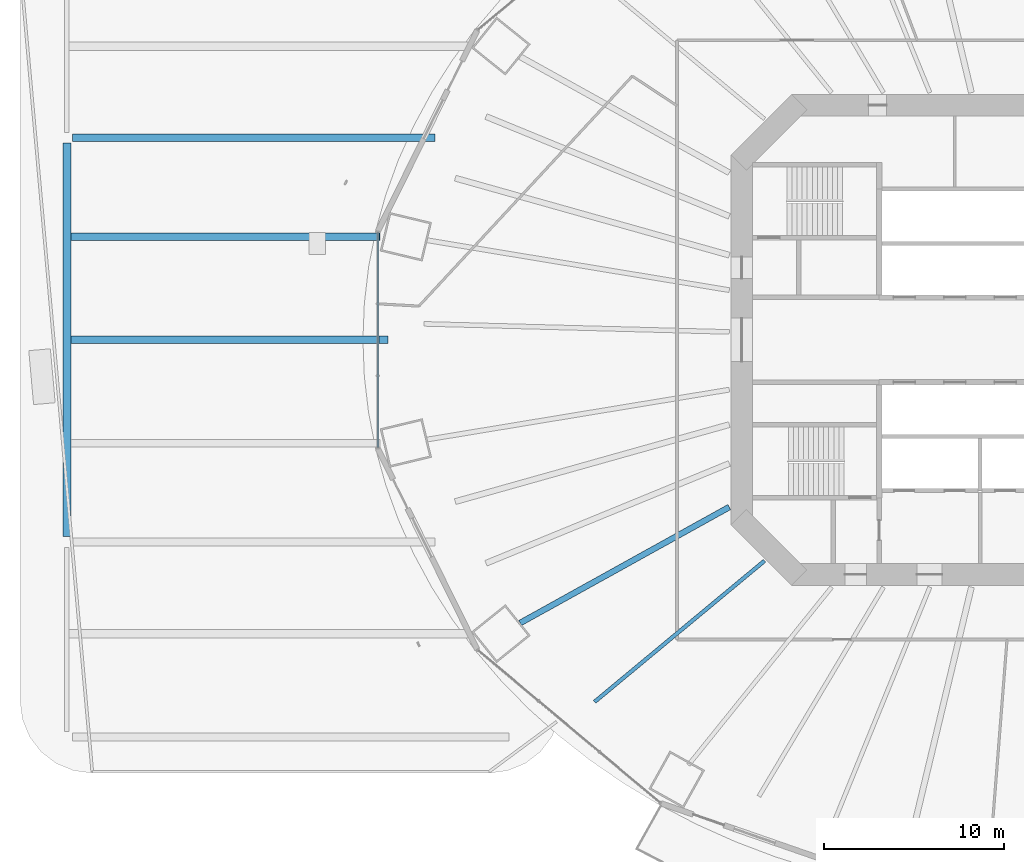
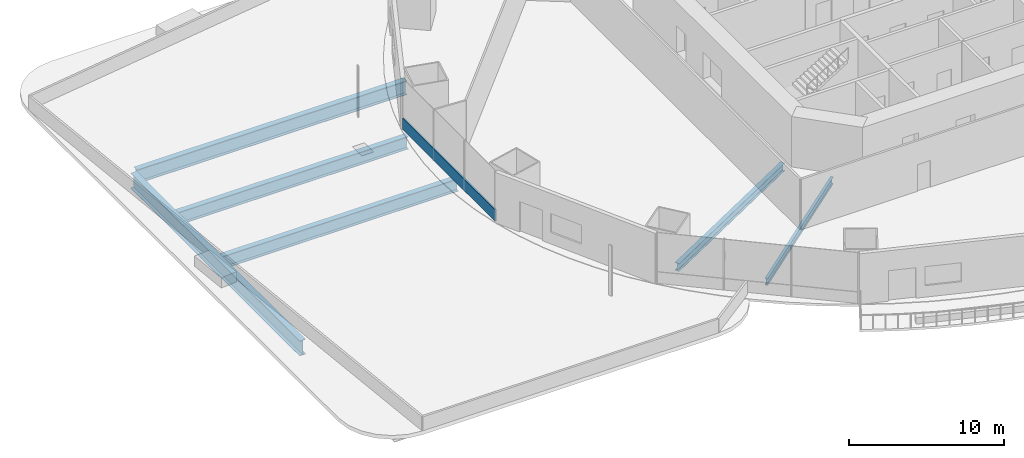
# One storey, part 6 of 27: 6 beams, 1 member, 1 element without a shape of its own.
"""IFC4 building model written with IfcOpenShell, lengths in metres."""

import ifcopenshell
import ifcopenshell.guid

model = None  # the IFC model being written
_history = None  # IfcOwnerHistory: only IFC2X3 demands one
_inside = {}  # id of a spatial element -> (the spatial element, [elements in it])
_under = {}  # id of a project, library or spatial element -> (it, [spatial elements below it])
_declared = {}  # id of a project -> (the project, [libraries it declares])
_typed = {}  # id of a type object -> (the type object, [elements of that type])
_made_of = {}  # id of a material, layer set ... -> (it, [elements and type objects made of it])


def new_model(schema):
    """Start an empty IFC model of exactly this schema.

    Asked for "IFC4X3", IfcOpenShell would pick the latest addendum, in which some entities
    have other attributes; the version numbers below select the first issue.
    IFC2X3 requires an IfcOwnerHistory on every rooted entity: one is made here for all.
    """
    global model, _history
    if schema == "IFC4X3":
        model = ifcopenshell.file(schema_version=(4, 3, 0, 0))
    else:
        model = ifcopenshell.file(schema=schema)
    _inside.clear()
    _under.clear()
    _declared.clear()
    _typed.clear()
    _made_of.clear()
    _history = None
    if model.schema == "IFC2X3":
        org = make("IfcOrganization", Name="unknown")
        user = make(
            "IfcPersonAndOrganization",
            ThePerson=make("IfcPerson", FamilyName="unknown"),
            TheOrganization=org,
        )
        app = make(
            "IfcApplication",
            ApplicationDeveloper=org,
            Version="unknown",
            ApplicationFullName="unknown",
            ApplicationIdentifier="unknown",
        )
        _history = make(
            "IfcOwnerHistory",
            OwningUser=user,
            OwningApplication=app,
            ChangeAction="ADDED",
            CreationDate=0,
        )
    return model


def make(cls, **values):
    """One entity of the class cls with the attributes given. An attribute that is None is left unset."""
    return model.create_entity(
        cls, **{name: value for name, value in values.items() if value is not None}
    )


def rooted(cls, **values):
    """An entity with a GlobalId (a new one), such as an element, a storey or a relation."""
    return make(cls, GlobalId=ifcopenshell.guid.new(), OwnerHistory=_history, **values)


def si_unit(unit_type, name, prefix=None):
    """IfcSIUnit, for example si_unit("LENGTHUNIT", "METRE", prefix="MILLI")."""
    return make("IfcSIUnit", UnitType=unit_type, Prefix=prefix, Name=name)


def assignment(units):
    """IfcUnitAssignment: the units of a project."""
    return None if units is None else make("IfcUnitAssignment", Units=units)


def point(xyz):
    """IfcCartesianPoint."""
    return None if xyz is None else make("IfcCartesianPoint", Coordinates=xyz)


def direction(xyz):
    """IfcDirection."""
    return None if xyz is None else make("IfcDirection", DirectionRatios=xyz)


def frame(location, z_axis=None, x_axis=None):
    """IfcAxis2Placement3D, a coordinate frame: its origin and axes. An axis left out is left unset."""
    return make(
        "IfcAxis2Placement3D",
        Location=point(location),
        Axis=direction(z_axis),
        RefDirection=direction(x_axis),
    )


def frame_2d(location, x_axis=None):
    """IfcAxis2Placement2D, a coordinate frame in the plane: its origin and x axis."""
    return make(
        "IfcAxis2Placement2D", Location=point(location), RefDirection=direction(x_axis)
    )


def origin():
    """The frame at (0, 0, 0) with its axes left unset."""
    return frame((0.0, 0.0, 0.0))


def origin_2d():
    """The frame at (0, 0) in the plane with its x axis left unset."""
    return frame_2d((0.0, 0.0))


def place(relative_to, where):
    """IfcLocalPlacement: puts the frame where relative to a parent placement (None: the world)."""
    return make(
        "IfcLocalPlacement", PlacementRelTo=relative_to, RelativePlacement=where
    )


def context(
    kind, dimensions, precision=None, world=None, true_north=None, identifier=None
):
    """IfcGeometricRepresentationContext, for example the 3D "Model" context."""
    return make(
        "IfcGeometricRepresentationContext",
        ContextIdentifier=identifier,
        ContextType=kind,
        CoordinateSpaceDimension=dimensions,
        Precision=precision,
        WorldCoordinateSystem=world,
        TrueNorth=true_north,
    )


def subcontext(parent, identifier, kind, view, scale=None):
    """IfcGeometricRepresentationSubContext, for example "Body" below "Model"."""
    return make(
        "IfcGeometricRepresentationSubContext",
        ContextIdentifier=identifier,
        ContextType=kind,
        ParentContext=parent,
        TargetScale=scale,
        TargetView=view,
    )


def project(units=None, contexts=None):
    """IfcProject with its units and contexts."""
    return rooted(
        "IfcProject",
        Name="project",
        RepresentationContexts=contexts,
        UnitsInContext=assignment(units),
    )


def spatial(cls, under=None, at=None, **own):
    """A site, building, storey or space (cls), placed at a placement, below another one or the project."""
    s = rooted(cls, ObjectPlacement=at, **own)
    if under is not None:
        _under.setdefault(under.id(), (under, []))[1].append(s)
    return s


def profile(cls, at=None, kind="AREA", **sizes):
    """A parametric profile (cls). Its sizes go by their IFC names, for example OverallWidth=200.0."""
    return make(cls, ProfileType=kind, Position=at, **sizes)


def rectangle(**sizes):
    """IfcRectangleProfileDef."""
    return profile("IfcRectangleProfileDef", **sizes)


def i_section(**sizes):
    """IfcIShapeProfileDef."""
    return profile("IfcIShapeProfileDef", **sizes)


def extrude(swept, where, along, depth):
    """IfcExtrudedAreaSolid: the profile swept, set in the frame where, extruded along a direction by depth."""
    return make(
        "IfcExtrudedAreaSolid",
        SweptArea=swept,
        Position=where,
        ExtrudedDirection=direction(along),
        Depth=depth,
    )


def shape(context_of_items, identifier, shape_type, items):
    """IfcShapeRepresentation: the items that make up one representation, for example the "Body"."""
    return make(
        "IfcShapeRepresentation",
        ContextOfItems=context_of_items,
        RepresentationIdentifier=identifier,
        RepresentationType=shape_type,
        Items=items,
    )


def material(Name=None, Category=None):
    """IfcMaterial."""
    return make("IfcMaterial", Name=Name, Category=Category)


def material_profile(
    of_material, cross_section, Name=None, Category=None, Priority=None
):
    """IfcMaterialProfile: a cross section and its material."""
    return make(
        "IfcMaterialProfile",
        Name=Name,
        Material=of_material,
        Profile=cross_section,
        Priority=Priority,
        Category=Category,
    )


def profile_set(profiles, Name=None, composite=None):
    """IfcMaterialProfileSet."""
    return make(
        "IfcMaterialProfileSet",
        Name=Name,
        MaterialProfiles=profiles,
        CompositeProfile=composite,
    )


def made_of(thing, what):
    """Note that an element or type object is made of a material, layer set ...; save() writes the relation."""
    if what is not None:
        _made_of.setdefault(what.id(), (what, []))[1].append(thing)
    return thing


def type_object(cls, material=None, **own):
    """A type object (cls), such as IfcWallType, which elements share."""
    return made_of(rooted(cls, **own), material)


def element(
    cls,
    number,
    at=None,
    inside=None,
    cuts=None,
    type_object=None,
    material=None,
    context=None,
    identifier="Body",
    shape_type=None,
    held_by="IfcProductDefinitionShape",
    body=None,
    shapes=None,
    **own,
):
    """One element of the class cls, such as IfcWall. Its Tag is "e" and its number.

    at: its placement. inside: the storey or other place that contains it. cuts: it is an
    opening in that element (IfcRelVoidsElement). A single representation is given by context,
    identifier, shape_type and body (its items); several are given by shapes. held_by: the class
    of the entity that holds the representations. save() writes the other relations.
    """
    e = rooted(cls, Tag="e%d" % number, ObjectPlacement=at, **own)
    if body is not None:
        shapes = [shape(context, identifier, shape_type, body)]
    if shapes is not None:
        e.Representation = make(held_by, Representations=shapes)
    if inside is not None:
        _inside.setdefault(inside.id(), (inside, []))[1].append(e)
    if cuts is not None:
        rooted(
            "IfcRelVoidsElement", RelatingBuildingElement=cuts, RelatedOpeningElement=e
        )
    if type_object is not None:
        _typed.setdefault(type_object.id(), (type_object, []))[1].append(e)
    return made_of(e, material)


def aggregate(whole, parts):
    """IfcRelAggregates: a whole, such as a stair, and the parts it consists of."""
    return rooted("IfcRelAggregates", RelatingObject=whole, RelatedObjects=parts)


def save(model, path):
    """Write the relations noted so far, then the file.

    IfcRelAggregates (storeys below a building ...), IfcRelContainedInSpatialStructure (elements
    in a storey), IfcRelDefinesByType, IfcRelAssociatesMaterial and IfcRelDeclares: one each for
    every whole, place, type object, material and project.
    """
    for whole, parts in _under.values():
        aggregate(whole, parts)
    for where, things in _inside.values():
        rooted(
            "IfcRelContainedInSpatialStructure",
            RelatedElements=things,
            RelatingStructure=where,
        )
    for kind, things in _typed.values():
        rooted("IfcRelDefinesByType", RelatedObjects=things, RelatingType=kind)
    for what, things in _made_of.values():
        rooted("IfcRelAssociatesMaterial", RelatedObjects=things, RelatingMaterial=what)
    for by, libraries in _declared.values():
        rooted("IfcRelDeclares", RelatingContext=by, RelatedDefinitions=libraries)
    model.write(path)


model = new_model("IFC4")

# Units and contexts
model_context = context("Model", 3, precision=1e-05, world=origin(), true_north=direction((0.0, 1.0)))
body_context = subcontext(model_context, "Body", "Model", "MODEL_VIEW")
ifc_project = project(units=[si_unit("LENGTHUNIT", "METRE"), si_unit("AREAUNIT", "SQUARE_METRE"), si_unit("VOLUMEUNIT", "CUBIC_METRE"), si_unit("PLANEANGLEUNIT", "RADIAN"), si_unit("MASSUNIT", "GRAM", prefix="KILO")], contexts=[model_context])

# Site, building, storey
site_placement = place(None, origin())
site = spatial("IfcSite", under=ifc_project, at=site_placement, CompositionType="ELEMENT")
building_placement = place(site_placement, origin())
building = spatial("IfcBuilding", under=site, at=building_placement, Name="Marenthal Gate Tower", CompositionType="ELEMENT")
storey_placement = place(building_placement, frame((0.0, 0.0, 33.0)))
storey = spatial("IfcBuildingStorey", under=building, at=storey_placement, Name="L04", CompositionType="ELEMENT", Elevation=33.0)

# Beams
ifc_material_1 = material(Name="Steel S355", Category="steel")
ifc_material_profile_1 = material_profile(ifc_material_1, i_section(OverallWidth=0.419921875, OverallDepth=1.0, WebThickness=0.02001953125, FlangeThickness=0.035888671875, at=origin_2d()), Name="PLATE GIRDER 1000X420X20X36")
ifc_profile_set_1 = profile_set([ifc_material_profile_1], Name="Steel S355")
beam_type_1 = type_object("IfcBeamType", Name="PLATE GIRDER 1000X420X20X36 beam", PredefinedType="BEAM", material=ifc_profile_set_1)
beam_1_placement = place(storey_placement, frame((-35.62158203125, 0.0, -0.840087890625), z_axis=(-1.0, 0.0, 0.0), x_axis=(0.0, -1.0, 0.0)))
element("IfcBeam", 1, at=beam_1_placement, inside=storey, type_object=beam_type_1, Name="BM-L04-120", PredefinedType="BEAM", context=body_context, shape_type="SweptSolid", body=[
    extrude(i_section(OverallWidth=0.419921875, OverallDepth=1.0, WebThickness=0.02001953125, FlangeThickness=0.035888671875, at=origin_2d()), origin(), (0.0, 0.0, 1.0), 17.553466796875),
])
beam_2_placement = place(storey_placement, frame((-36.061279296875, 5.716064453125, -0.840087890625), z_axis=(-1.0, 0.0, 0.0), x_axis=(0.0, -1.0, 0.0)))
element("IfcBeam", 2, at=beam_2_placement, inside=storey, type_object=beam_type_1, Name="BM-L04-121", PredefinedType="BEAM", context=body_context, shape_type="SweptSolid", body=[
    extrude(i_section(OverallWidth=0.419921875, OverallDepth=1.0, WebThickness=0.02001953125, FlangeThickness=0.035888671875, at=origin_2d()), origin(), (0.0, 0.0, 1.0), 17.11376953125),
])
ifc_material_2 = material(Name="Steel S355", Category="steel")
ifc_material_profile_2 = material_profile(ifc_material_2, i_section(OverallWidth=0.429931640625, OverallDepth=1.10009765625, WebThickness=0.02001953125, FlangeThickness=0.0400390625, at=origin_2d()), Name="PLATE GIRDER 1100X430X20X40")
ifc_profile_set_2 = profile_set([ifc_material_profile_2], Name="Steel S355")
beam_type_2 = type_object("IfcBeamType", Name="PLATE GIRDER 1100X430X20X40 beam", PredefinedType="BEAM", material=ifc_profile_set_2)
beam_3_placement = place(storey_placement, frame((-33.002685546875, 11.199951171875, -0.889892578125), z_axis=(-1.0, 0.0, 0.0), x_axis=(0.0, -1.0, 0.0)))
element("IfcBeam", 3, at=beam_3_placement, inside=storey, type_object=beam_type_2, Name="BM-L04-122", PredefinedType="BEAM", context=body_context, shape_type="SweptSolid", body=[
    extrude(i_section(OverallWidth=0.429931640625, OverallDepth=1.10009765625, WebThickness=0.02001953125, FlangeThickness=0.0400390625, at=origin_2d()), origin(), (0.0, 0.0, 1.0), 20.097412109375),
])
ifc_material_3 = material(Name="Steel S355", Category="steel")
ifc_material_profile_3 = material_profile(ifc_material_3, i_section(OverallWidth=0.449951171875, OverallDepth=1.199951171875, WebThickness=0.02197265625, FlangeThickness=0.0400390625, at=origin_2d()), Name="PLATE GIRDER 1200X450X22X40")
ifc_profile_set_3 = profile_set([ifc_material_profile_3], Name="Steel S355")
beam_type_3 = type_object("IfcBeamType", Name="PLATE GIRDER 1200X450X22X40 beam", PredefinedType="BEAM", material=ifc_profile_set_3)
beam_4_placement = place(storey_placement, frame((-53.39990234375, -10.89990234375, -0.93994140625), z_axis=(0.0, 1.0, 0.0), x_axis=(-1.0, 0.0, 0.0)))
element("IfcBeam", 4, at=beam_4_placement, inside=storey, type_object=beam_type_3, Name="BM-L04-114", PredefinedType="BEAM", context=body_context, shape_type="SweptSolid", body=[
    extrude(i_section(OverallWidth=0.449951171875, OverallDepth=1.199951171875, WebThickness=0.02197265625, FlangeThickness=0.0400390625, at=origin_2d()), origin(), (0.0, 0.0, 1.0), 21.7998046875),
])

# Curtain wall, member
ifc_material_4 = material(Name="Aluminium and glass", Category="aluminium")
curtain_wall_type = type_object("IfcCurtainWallType", Name="Curtain wall typical low", PredefinedType="NOTDEFINED", material=ifc_material_4)
curtain_wall_placement = place(storey_placement, origin())
curtain_wall = element("IfcCurtainWall", 5, at=curtain_wall_placement, inside=storey, type_object=curtain_wall_type, Name="Curtain wall L04 bay 8", PredefinedType="NOTDEFINED")
ifc_material_5 = material(Name="Aluminium", Category="aluminium")
ifc_material_profile_4 = material_profile(ifc_material_5, rectangle(XDim=0.1201171875, YDim=0.89990234375, at=origin_2d()), Name="120x900 aluminium transom")
ifc_profile_set_4 = profile_set([ifc_material_profile_4], Name="Aluminium")
member_type = type_object("IfcMemberType", Name="Transom 120x900 typical low", PredefinedType="USERDEFINED", material=ifc_profile_set_4)
member_placement = place(storey_placement, frame((-36.17138671875, 5.96435546875, 0.449951171875), z_axis=(0.0, -1.0, 0.0), x_axis=(1.0, 0.0, 0.0)))
member = element("IfcMember", 6, at=member_placement, type_object=member_type, Name="Transom L04 bay 8", ObjectType="TRANSOM", PredefinedType="USERDEFINED", context=body_context, shape_type="SweptSolid", body=[
    extrude(rectangle(XDim=0.1201171875, YDim=0.89990234375, at=origin_2d()), origin(), (0.0, 0.0, 1.0), 11.9287109375),
])
aggregate(curtain_wall, [member])

# Beams
ifc_material_6 = material(Name="Steel S355", Category="steel")
ifc_material_profile_5 = material_profile(ifc_material_6, i_section(OverallWidth=0.2119140625, OverallDepth=0.5439453125, WebThickness=0.01318359375, FlangeThickness=0.021240234375, FilletRadius=0.0126953125, at=origin_2d()), Name="W530X123")
ifc_profile_set_5 = profile_set([ifc_material_profile_5], Name="Steel S355")
beam_type_4 = type_object("IfcBeamType", Name="W530X123 beam", PredefinedType="BEAM", material=ifc_profile_set_5)
beam_5_placement = place(storey_placement, frame((-24.16015625, -20.0537109375, -0.451904296875), z_axis=(0.769474660686, 0.638677341512, 0.0), x_axis=(-0.638677341512, 0.769474660686, 0.0)))
element("IfcBeam", 7, at=beam_5_placement, inside=storey, type_object=beam_type_4, Name="BM-L04-31", PredefinedType="BEAM", context=body_context, shape_type="SweptSolid", body=[
    extrude(i_section(OverallWidth=0.2119140625, OverallDepth=0.5439453125, WebThickness=0.01318359375, FlangeThickness=0.021240234375, FilletRadius=0.0126953125, at=origin_2d()), origin(), (0.0, 0.0, 1.0), 12.2314453125),
])
ifc_material_7 = material(Name="Steel S355", Category="steel")
ifc_material_profile_6 = material_profile(ifc_material_7, i_section(OverallWidth=0.324951171875, OverallDepth=0.612060546875, WebThickness=0.0126953125, FlangeThickness=0.01904296875, FilletRadius=0.0126953125, at=origin_2d()), Name="W610X155")
ifc_profile_set_6 = profile_set([ifc_material_profile_6], Name="Steel S355")
beam_type_5 = type_object("IfcBeamType", Name="W610X155 beam", PredefinedType="BEAM", material=ifc_profile_set_6)
beam_6_placement = place(storey_placement, frame((-28.285888671875, -15.6875, -0.486083984375), z_axis=(0.874512560522, 0.485002867506, 0.0), x_axis=(-0.485002867506, 0.874512560522, 0.0)))
element("IfcBeam", 8, at=beam_6_placement, inside=storey, type_object=beam_type_5, Name="BM-L04-10", PredefinedType="BEAM", context=body_context, shape_type="SweptSolid", body=[
    extrude(i_section(OverallWidth=0.324951171875, OverallDepth=0.612060546875, WebThickness=0.0126953125, FlangeThickness=0.01904296875, FilletRadius=0.0126953125, at=origin_2d()), origin(), (0.0, 0.0, 1.0), 13.24853515625),
])

save(model, "model.ifc")
